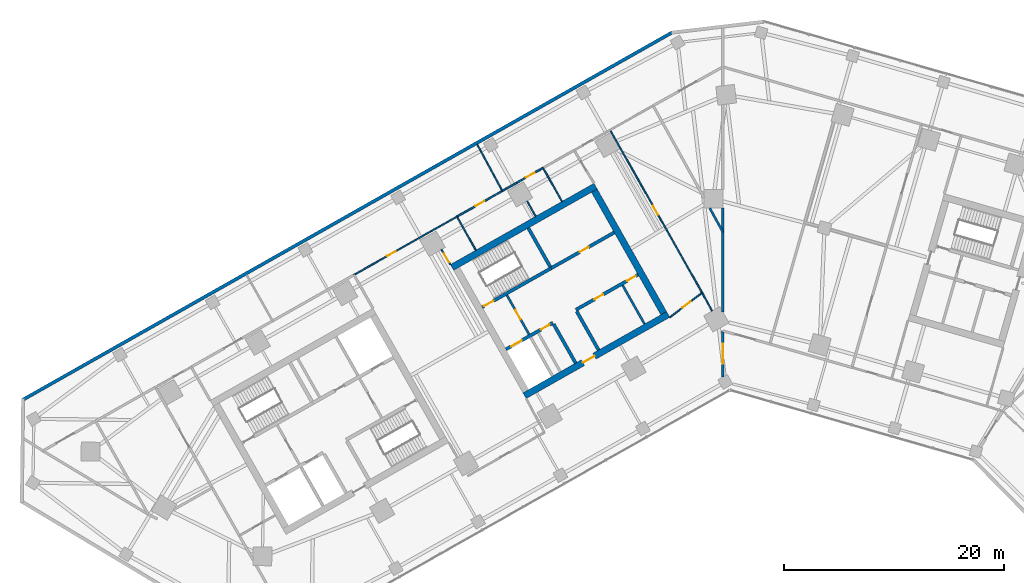
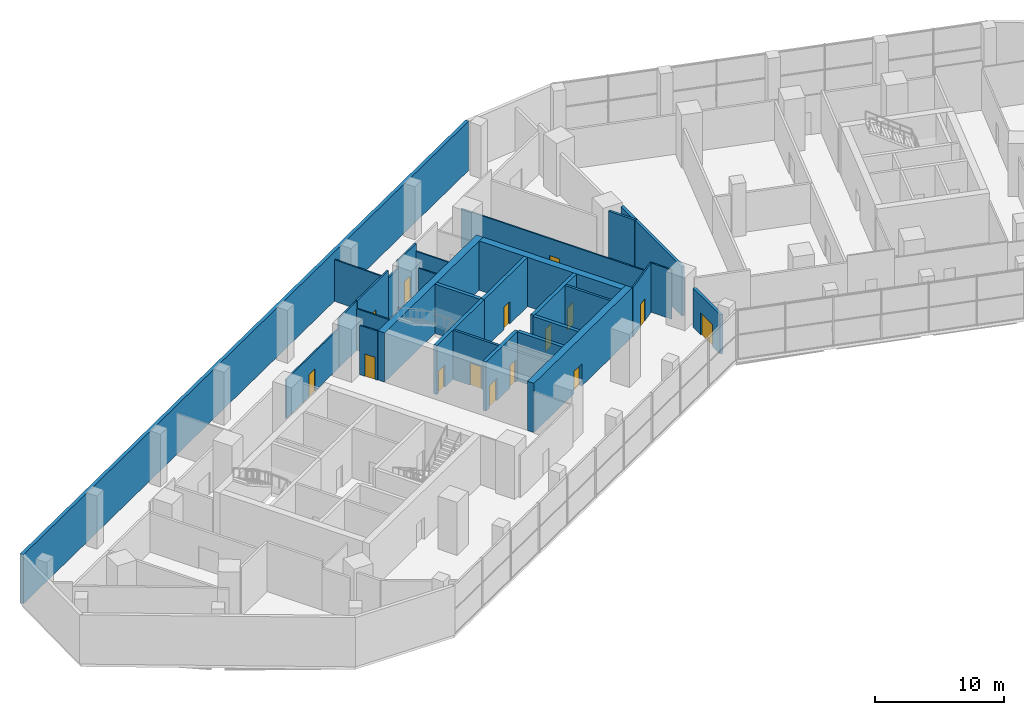
# One storey, part 12 of 18: 30 walls, 15 doors, 15 openings.
"""IFC4 building model written with IfcOpenShell, lengths in metres."""

import ifcopenshell
import ifcopenshell.guid

model = None  # the IFC model being written
_history = None  # IfcOwnerHistory: only IFC2X3 demands one
_inside = {}  # id of a spatial element -> (the spatial element, [elements in it])
_under = {}  # id of a project, library or spatial element -> (it, [spatial elements below it])
_declared = {}  # id of a project -> (the project, [libraries it declares])
_typed = {}  # id of a type object -> (the type object, [elements of that type])
_made_of = {}  # id of a material, layer set ... -> (it, [elements and type objects made of it])


def new_model(schema):
    """Start an empty IFC model of exactly this schema.

    Asked for "IFC4X3", IfcOpenShell would pick the latest addendum, in which some entities
    have other attributes; the version numbers below select the first issue.
    IFC2X3 requires an IfcOwnerHistory on every rooted entity: one is made here for all.
    """
    global model, _history
    if schema == "IFC4X3":
        model = ifcopenshell.file(schema_version=(4, 3, 0, 0))
    else:
        model = ifcopenshell.file(schema=schema)
    _inside.clear()
    _under.clear()
    _declared.clear()
    _typed.clear()
    _made_of.clear()
    _history = None
    if model.schema == "IFC2X3":
        org = make("IfcOrganization", Name="unknown")
        user = make(
            "IfcPersonAndOrganization",
            ThePerson=make("IfcPerson", FamilyName="unknown"),
            TheOrganization=org,
        )
        app = make(
            "IfcApplication",
            ApplicationDeveloper=org,
            Version="unknown",
            ApplicationFullName="unknown",
            ApplicationIdentifier="unknown",
        )
        _history = make(
            "IfcOwnerHistory",
            OwningUser=user,
            OwningApplication=app,
            ChangeAction="ADDED",
            CreationDate=0,
        )
    return model


def make(cls, **values):
    """One entity of the class cls with the attributes given. An attribute that is None is left unset."""
    return model.create_entity(
        cls, **{name: value for name, value in values.items() if value is not None}
    )


def rooted(cls, **values):
    """An entity with a GlobalId (a new one), such as an element, a storey or a relation."""
    return make(cls, GlobalId=ifcopenshell.guid.new(), OwnerHistory=_history, **values)


def si_unit(unit_type, name, prefix=None):
    """IfcSIUnit, for example si_unit("LENGTHUNIT", "METRE", prefix="MILLI")."""
    return make("IfcSIUnit", UnitType=unit_type, Prefix=prefix, Name=name)


def assignment(units):
    """IfcUnitAssignment: the units of a project."""
    return None if units is None else make("IfcUnitAssignment", Units=units)


def point(xyz):
    """IfcCartesianPoint."""
    return None if xyz is None else make("IfcCartesianPoint", Coordinates=xyz)


def direction(xyz):
    """IfcDirection."""
    return None if xyz is None else make("IfcDirection", DirectionRatios=xyz)


def frame(location, z_axis=None, x_axis=None):
    """IfcAxis2Placement3D, a coordinate frame: its origin and axes. An axis left out is left unset."""
    return make(
        "IfcAxis2Placement3D",
        Location=point(location),
        Axis=direction(z_axis),
        RefDirection=direction(x_axis),
    )


def frame_2d(location, x_axis=None):
    """IfcAxis2Placement2D, a coordinate frame in the plane: its origin and x axis."""
    return make(
        "IfcAxis2Placement2D", Location=point(location), RefDirection=direction(x_axis)
    )


def origin():
    """The frame at (0, 0, 0) with its axes left unset."""
    return frame((0.0, 0.0, 0.0))


def place(relative_to, where):
    """IfcLocalPlacement: puts the frame where relative to a parent placement (None: the world)."""
    return make(
        "IfcLocalPlacement", PlacementRelTo=relative_to, RelativePlacement=where
    )


def context(
    kind, dimensions, precision=None, world=None, true_north=None, identifier=None
):
    """IfcGeometricRepresentationContext, for example the 3D "Model" context."""
    return make(
        "IfcGeometricRepresentationContext",
        ContextIdentifier=identifier,
        ContextType=kind,
        CoordinateSpaceDimension=dimensions,
        Precision=precision,
        WorldCoordinateSystem=world,
        TrueNorth=true_north,
    )


def subcontext(parent, identifier, kind, view, scale=None):
    """IfcGeometricRepresentationSubContext, for example "Body" below "Model"."""
    return make(
        "IfcGeometricRepresentationSubContext",
        ContextIdentifier=identifier,
        ContextType=kind,
        ParentContext=parent,
        TargetScale=scale,
        TargetView=view,
    )


def project(units=None, contexts=None):
    """IfcProject with its units and contexts."""
    return rooted(
        "IfcProject",
        Name="project",
        RepresentationContexts=contexts,
        UnitsInContext=assignment(units),
    )


def spatial(cls, under=None, at=None, **own):
    """A site, building, storey or space (cls), placed at a placement, below another one or the project."""
    s = rooted(cls, ObjectPlacement=at, **own)
    if under is not None:
        _under.setdefault(under.id(), (under, []))[1].append(s)
    return s


def profile(cls, at=None, kind="AREA", **sizes):
    """A parametric profile (cls). Its sizes go by their IFC names, for example OverallWidth=200.0."""
    return make(cls, ProfileType=kind, Position=at, **sizes)


def rectangle(**sizes):
    """IfcRectangleProfileDef."""
    return profile("IfcRectangleProfileDef", **sizes)


def extrude(swept, where, along, depth):
    """IfcExtrudedAreaSolid: the profile swept, set in the frame where, extruded along a direction by depth."""
    return make(
        "IfcExtrudedAreaSolid",
        SweptArea=swept,
        Position=where,
        ExtrudedDirection=direction(along),
        Depth=depth,
    )


def shape(context_of_items, identifier, shape_type, items):
    """IfcShapeRepresentation: the items that make up one representation, for example the "Body"."""
    return make(
        "IfcShapeRepresentation",
        ContextOfItems=context_of_items,
        RepresentationIdentifier=identifier,
        RepresentationType=shape_type,
        Items=items,
    )


def material(Name=None, Category=None):
    """IfcMaterial."""
    return make("IfcMaterial", Name=Name, Category=Category)


def layer(
    of_material, thickness, ventilated=None, Name=None, Category=None, Priority=None
):
    """IfcMaterialLayer: one layer of a wall or slab, of a material (None: an air gap)."""
    return make(
        "IfcMaterialLayer",
        Material=of_material,
        LayerThickness=thickness,
        IsVentilated=ventilated,
        Name=Name,
        Category=Category,
        Priority=Priority,
    )


def layer_set(layers, Name=None):
    """IfcMaterialLayerSet."""
    return make("IfcMaterialLayerSet", MaterialLayers=layers, LayerSetName=Name)


def made_of(thing, what):
    """Note that an element or type object is made of a material, layer set ...; save() writes the relation."""
    if what is not None:
        _made_of.setdefault(what.id(), (what, []))[1].append(thing)
    return thing


def type_object(cls, material=None, **own):
    """A type object (cls), such as IfcWallType, which elements share."""
    return made_of(rooted(cls, **own), material)


def element(
    cls,
    number,
    at=None,
    inside=None,
    cuts=None,
    type_object=None,
    material=None,
    context=None,
    identifier="Body",
    shape_type=None,
    held_by="IfcProductDefinitionShape",
    body=None,
    shapes=None,
    **own,
):
    """One element of the class cls, such as IfcWall. Its Tag is "e" and its number.

    at: its placement. inside: the storey or other place that contains it. cuts: it is an
    opening in that element (IfcRelVoidsElement). A single representation is given by context,
    identifier, shape_type and body (its items); several are given by shapes. held_by: the class
    of the entity that holds the representations. save() writes the other relations.
    """
    e = rooted(cls, Tag="e%d" % number, ObjectPlacement=at, **own)
    if body is not None:
        shapes = [shape(context, identifier, shape_type, body)]
    if shapes is not None:
        e.Representation = make(held_by, Representations=shapes)
    if inside is not None:
        _inside.setdefault(inside.id(), (inside, []))[1].append(e)
    if cuts is not None:
        rooted(
            "IfcRelVoidsElement", RelatingBuildingElement=cuts, RelatedOpeningElement=e
        )
    if type_object is not None:
        _typed.setdefault(type_object.id(), (type_object, []))[1].append(e)
    return made_of(e, material)


def fill(opening, filler):
    """IfcRelFillsElement: the door or window that sits in an opening."""
    return rooted(
        "IfcRelFillsElement",
        RelatingOpeningElement=opening,
        RelatedBuildingElement=filler,
    )


def aggregate(whole, parts):
    """IfcRelAggregates: a whole, such as a stair, and the parts it consists of."""
    return rooted("IfcRelAggregates", RelatingObject=whole, RelatedObjects=parts)


def save(model, path):
    """Write the relations noted so far, then the file.

    IfcRelAggregates (storeys below a building ...), IfcRelContainedInSpatialStructure (elements
    in a storey), IfcRelDefinesByType, IfcRelAssociatesMaterial and IfcRelDeclares: one each for
    every whole, place, type object, material and project.
    """
    for whole, parts in _under.values():
        aggregate(whole, parts)
    for where, things in _inside.values():
        rooted(
            "IfcRelContainedInSpatialStructure",
            RelatedElements=things,
            RelatingStructure=where,
        )
    for kind, things in _typed.values():
        rooted("IfcRelDefinesByType", RelatedObjects=things, RelatingType=kind)
    for what, things in _made_of.values():
        rooted("IfcRelAssociatesMaterial", RelatedObjects=things, RelatingMaterial=what)
    for by, libraries in _declared.values():
        rooted("IfcRelDeclares", RelatingContext=by, RelatedDefinitions=libraries)
    model.write(path)


model = new_model("IFC4")

# Units and contexts
model_context = context("Model", 3, precision=1e-05, world=origin(), true_north=direction((0.0, 1.0)))
body_context = subcontext(model_context, "Body", "Model", "MODEL_VIEW")
ifc_project = project(units=[si_unit("LENGTHUNIT", "METRE"), si_unit("AREAUNIT", "SQUARE_METRE"), si_unit("VOLUMEUNIT", "CUBIC_METRE"), si_unit("PLANEANGLEUNIT", "RADIAN"), si_unit("MASSUNIT", "GRAM", prefix="KILO")], contexts=[model_context])

# Site, building, storey
site_placement = place(None, origin())
site = spatial("IfcSite", under=ifc_project, at=site_placement, CompositionType="ELEMENT")
building_placement = place(site_placement, origin())
building = spatial("IfcBuilding", under=site, at=building_placement, Name="Binnacle Exchange Tower", CompositionType="ELEMENT")
storey_placement = place(building_placement, frame((0.0, 0.0, 11.5)))
storey = spatial("IfcBuildingStorey", under=building, at=storey_placement, Name="L02", CompositionType="ELEMENT", Elevation=11.5)

# Wall
ifc_material_1 = material(Name="Gypsum partition fire rated")
ifc_layer_1 = layer(ifc_material_1, 0.199951171875)
ifc_layer_set_1 = layer_set([ifc_layer_1], Name="Core partition 200")
wall_type_1 = type_object("IfcWallType", Name="Core partition 200", PredefinedType="PARTITIONING", material=ifc_layer_set_1)
wall_1_placement = place(storey_placement, frame((-9.11279296875, 52.14404296875, 0.0), z_axis=(0.0, 0.0, 1.0), x_axis=(0.492394910396, -0.870371904542, 0.0)))
element("IfcWall", 1, at=wall_1_placement, inside=storey, type_object=wall_type_1, Name="Core wall CRWC22", PredefinedType="PARTITIONING", context=body_context, shape_type="SweptSolid", body=[
    extrude(rectangle(XDim=4.0498046875, YDim=0.199951171875, at=frame_2d((2.02490234375, 0.0))), origin(), (0.0, 0.0, 1.0), 4.64990234375),
])

# Wall, openings, doors
ifc_material_2 = material(Name="Concrete C70/85", Category="concrete")
ifc_layer_2 = layer(ifc_material_2, 0.300048828125)
ifc_layer_set_2 = layer_set([ifc_layer_2], Name="Core wall - front 300")
wall_type_2 = type_object("IfcWallType", Name="Core wall - front 300", PredefinedType="SOLIDWALL", material=ifc_layer_set_2)
wall_2_placement = place(storey_placement, frame((-19.718017578125, 46.31640625, 0.0), z_axis=(0.0, 0.0, 1.0), x_axis=(0.870353963862, 0.492426621528, 0.0)))
wall_2 = element("IfcWall", 2, at=wall_2_placement, inside=storey, type_object=wall_type_2, Name="Core wall CRWC2", PredefinedType="SOLIDWALL", context=body_context, shape_type="SweptSolid", body=[
    extrude(rectangle(XDim=4.89990234375, YDim=0.300048828125, at=frame_2d((2.449951171875, 0.0))), origin(), (0.0, 0.0, 1.0), 4.64990234375),
])
opening_1_placement = place(wall_2_placement, frame((0.550048828125, 0.0, 0.0)))
opening_1 = element("IfcOpeningElement", 3, at=opening_1_placement, cuts=wall_2, Name="Opening LD14", PredefinedType="OPENING", context=body_context, shape_type="SweptSolid", body=[
    extrude(rectangle(XDim=1.10009765625, YDim=2.10009765625, at=frame_2d((0.550048828125, 1.050048828125))), frame((0.0, 0.159912109375, 0.0), z_axis=(0.0, -1.0, 0.0), x_axis=(1.0, 0.0, 0.0)), (0.0, 0.0, 1.0), 0.320068359375),
])
opening_2_placement = place(wall_2_placement, frame((3.64990234375, 0.0, 0.0)))
opening_2 = element("IfcOpeningElement", 4, at=opening_2_placement, cuts=wall_2, Name="Opening DC14", PredefinedType="OPENING", context=body_context, shape_type="SweptSolid", body=[
    extrude(rectangle(XDim=0.89990234375, YDim=2.10009765625, at=frame_2d((0.449951171875, 1.050048828125))), frame((0.0, 0.159912109375, 0.0), z_axis=(0.0, -1.0, 0.0), x_axis=(1.0, 0.0, 0.0)), (0.0, 0.0, 1.0), 0.320068359375),
])
ifc_material_3 = material(Name="Steel door leaf", Category="steel")
door_type_1 = type_object("IfcDoorType", Name="Fire door - lift landing 1100", OperationType="NOTDEFINED", PredefinedType="DOOR", material=ifc_material_3)
door_1_placement = place(opening_1_placement, origin())
door_1 = element("IfcDoor", 5, at=door_1_placement, inside=storey, type_object=door_type_1, Name="Landing door LD14 L02", OperationType="DOUBLE_DOOR_SLIDING", OverallHeight=2.10009765625, OverallWidth=1.10009765625, PredefinedType="DOOR", context=body_context, shape_type="SweptSolid", body=[
    extrude(rectangle(XDim=1.10009765625, YDim=2.10009765625, at=frame_2d((0.550048828125, 1.050048828125))), frame((0.0, 0.02490234375, 0.0), z_axis=(0.0, -1.0, 0.0), x_axis=(1.0, 0.0, 0.0)), (0.0, 0.0, 1.0), 0.050048828125),
])
fill(opening_1, door_1)
door_type_2 = type_object("IfcDoorType", Name="Fire door 900", OperationType="NOTDEFINED", PredefinedType="DOOR", material=ifc_material_3)
door_2_placement = place(opening_2_placement, frame((0.89990234375, 0.0, 0.0), z_axis=(0.0, 0.0, 1.0), x_axis=(-1.0, 0.0, 0.0)))
door_2 = element("IfcDoor", 6, at=door_2_placement, inside=storey, type_object=door_type_2, Name="Core room door IT STORE", OperationType="SINGLE_SWING_LEFT", OverallHeight=2.10009765625, OverallWidth=0.89990234375, PredefinedType="DOOR", context=body_context, shape_type="SweptSolid", body=[
    extrude(rectangle(XDim=0.89990234375, YDim=2.10009765625, at=frame_2d((0.449951171875, 1.050048828125))), frame((0.0, 0.02490234375, 0.0), z_axis=(0.0, -1.0, 0.0), x_axis=(1.0, 0.0, 0.0)), (0.0, 0.0, 1.0), 0.050048828125),
])
fill(opening_2, door_2)

wall_3_placement = place(storey_placement, frame((-13.364501953125, 49.910888671875, 0.0), z_axis=(0.0, 0.0, 1.0), x_axis=(0.870340995471, 0.49244954219, 0.0)))
wall_3 = element("IfcWall", 7, at=wall_3_placement, inside=storey, type_object=wall_type_2, Name="Core wall CRWC3", PredefinedType="SOLIDWALL", context=body_context, shape_type="SweptSolid", body=[
    extrude(rectangle(XDim=6.5, YDim=0.300048828125, at=frame_2d((3.25, 0.0))), origin(), (0.0, 0.0, 1.0), 4.64990234375),
])
opening_3_placement = place(wall_3_placement, frame((1.949951171875, 0.0, 0.0)))
opening_3 = element("IfcOpeningElement", 8, at=opening_3_placement, cuts=wall_3, Name="Opening DC18", PredefinedType="OPENING", context=body_context, shape_type="SweptSolid", body=[
    extrude(rectangle(XDim=0.89990234375, YDim=2.10009765625, at=frame_2d((0.449951171875, 1.050048828125))), frame((0.0, 0.159912109375, 0.0), z_axis=(0.0, -1.0, 0.0), x_axis=(1.0, 0.0, 0.0)), (0.0, 0.0, 1.0), 0.320068359375),
])
opening_4_placement = place(wall_3_placement, frame((5.35009765625, 0.0, 0.0)))
opening_4 = element("IfcOpeningElement", 9, at=opening_4_placement, cuts=wall_3, Name="Opening DC19", PredefinedType="OPENING", context=body_context, shape_type="SweptSolid", body=[
    extrude(rectangle(XDim=0.89990234375, YDim=2.10009765625, at=frame_2d((0.449951171875, 1.050048828125))), frame((0.0, 0.159912109375, 0.0), z_axis=(0.0, -1.0, 0.0), x_axis=(1.0, 0.0, 0.0)), (0.0, 0.0, 1.0), 0.320068359375),
])
door_3_placement = place(opening_3_placement, frame((0.89990234375, 0.0, 0.0), z_axis=(0.0, 0.0, 1.0), x_axis=(-1.0, 0.0, 0.0)))
door_3 = element("IfcDoor", 10, at=door_3_placement, inside=storey, type_object=door_type_2, Name="Core room door TELECOM RISER ROOM", OperationType="SINGLE_SWING_RIGHT", OverallHeight=2.10009765625, OverallWidth=0.89990234375, PredefinedType="DOOR", context=body_context, shape_type="SweptSolid", body=[
    extrude(rectangle(XDim=0.89990234375, YDim=2.10009765625, at=frame_2d((0.449951171875, 1.050048828125))), frame((0.0, 0.02490234375, 0.0), z_axis=(0.0, -1.0, 0.0), x_axis=(1.0, 0.0, 0.0)), (0.0, 0.0, 1.0), 0.050048828125),
])
fill(opening_3, door_3)
door_4_placement = place(opening_4_placement, frame((0.89990234375, 0.0, 0.0), z_axis=(0.0, 0.0, 1.0), x_axis=(-1.0, 0.0, 0.0)))
door_4 = element("IfcDoor", 11, at=door_4_placement, inside=storey, type_object=door_type_2, Name="Core room door FIBRE ENTRY ROOM", OperationType="SINGLE_SWING_LEFT", OverallHeight=2.10009765625, OverallWidth=0.89990234375, PredefinedType="DOOR", context=body_context, shape_type="SweptSolid", body=[
    extrude(rectangle(XDim=0.89990234375, YDim=2.10009765625, at=frame_2d((0.449951171875, 1.050048828125))), frame((0.0, 0.02490234375, 0.0), z_axis=(0.0, -1.0, 0.0), x_axis=(1.0, 0.0, 0.0)), (0.0, 0.0, 1.0), 0.050048828125),
])
fill(opening_4, door_4)

# Wall, opening, door
wall_4_placement = place(storey_placement, frame((-15.6181640625, 53.69140625, 0.0), z_axis=(0.0, 0.0, 1.0), x_axis=(0.870356769198, 0.492421663121, 0.0)))
wall_4 = element("IfcWall", 12, at=wall_4_placement, inside=storey, type_object=wall_type_2, Name="Core wall CRWC5", PredefinedType="SOLIDWALL", context=body_context, shape_type="SweptSolid", body=[
    extrude(rectangle(XDim=6.60009765625, YDim=0.300048828125, at=frame_2d((3.300048828125, 0.0))), origin(), (0.0, 0.0, 1.0), 4.64990234375),
])
opening_5_placement = place(wall_4_placement, frame((3.0, 0.0, 0.0)))
opening_5 = element("IfcOpeningElement", 13, at=opening_5_placement, cuts=wall_4, Name="Opening DC10", PredefinedType="OPENING", context=body_context, shape_type="SweptSolid", body=[
    extrude(rectangle(XDim=0.89990234375, YDim=2.10009765625, at=frame_2d((0.449951171875, 1.050048828125))), frame((0.0, 0.159912109375, 0.0), z_axis=(0.0, -1.0, 0.0), x_axis=(1.0, 0.0, 0.0)), (0.0, 0.0, 1.0), 0.320068359375),
])
door_5_placement = place(opening_5_placement, origin())
door_5 = element("IfcDoor", 14, at=door_5_placement, inside=storey, type_object=door_type_2, Name="Core room door SPARES STORE", OperationType="SINGLE_SWING_RIGHT", OverallHeight=2.10009765625, OverallWidth=0.89990234375, PredefinedType="DOOR", context=body_context, shape_type="SweptSolid", body=[
    extrude(rectangle(XDim=0.89990234375, YDim=2.10009765625, at=frame_2d((0.449951171875, 1.050048828125))), frame((0.0, 0.02490234375, 0.0), z_axis=(0.0, -1.0, 0.0), x_axis=(1.0, 0.0, 0.0)), (0.0, 0.0, 1.0), 0.050048828125),
])
fill(opening_5, door_5)

# Walls
for number, where, z_axis, x_axis, name in (
    (15, (-15.37939453125, 48.5986328125, 0.0), (0.0, 0.0, 1.0), (0.492394910396, -0.870371904542, 0.0), "Core wall CRWC13"),
    (16, (-13.29052734375, 49.780517578125, 0.0), (0.0, 0.0, 1.0), (0.492394910396, -0.870371904542, 0.0), "Core wall CRWC15"),
):
    element("IfcWall", number, at=place(storey_placement, frame(where, z_axis=z_axis, x_axis=x_axis)), inside=storey, type_object=wall_type_2, Name=name, PredefinedType="SOLIDWALL", context=body_context, shape_type="SweptSolid", body=[
        extrude(rectangle(XDim=4.0498046875, YDim=0.300048828125, at=frame_2d((2.02490234375, 0.0))), origin(), (0.0, 0.0, 1.0), 4.64990234375),
    ])

# Wall, opening, door
ifc_layer_3 = layer(ifc_material_2, 0.60009765625)
ifc_layer_set_3 = layer_set([ifc_layer_3], Name="Core wall - outer 600")
wall_type_3 = type_object("IfcWallType", Name="Core wall - outer 600", PredefinedType="SOLIDWALL", material=ifc_layer_set_3)
wall_5_placement = place(storey_placement, frame((-18.0244140625, 42.104248046875, 0.0), z_axis=(0.0, 0.0, 1.0), x_axis=(0.870360574057, 0.492414937962, 0.0)))
wall_5 = element("IfcWall", 17, at=wall_5_placement, inside=storey, type_object=wall_type_3, Name="Core wall CRWC1", PredefinedType="SOLIDWALL", context=body_context, shape_type="SweptSolid", body=[
    extrude(rectangle(XDim=15.0, YDim=0.60009765625, at=frame_2d((7.5, 0.0))), origin(), (0.0, 0.0, 1.0), 4.64990234375),
])
opening_6_placement = place(wall_5_placement, frame((6.10009765625, 0.0, 0.0)))
opening_6 = element("IfcOpeningElement", 18, at=opening_6_placement, cuts=wall_5, Name="Opening DC7", PredefinedType="OPENING", context=body_context, shape_type="SweptSolid", body=[
    extrude(rectangle(XDim=1.199951171875, YDim=2.10009765625, at=frame_2d((0.60009765625, 1.050048828125))), frame((0.0, 0.31005859375, 0.0), z_axis=(0.0, -1.0, 0.0), x_axis=(1.0, 0.0, 0.0)), (0.0, 0.0, 1.0), 0.6201171875),
])
door_type_3 = type_object("IfcDoorType", Name="Fire door 1200", OperationType="NOTDEFINED", PredefinedType="DOOR", material=ifc_material_3)
door_6_placement = place(opening_6_placement, frame((1.199951171875, 0.0, 0.0), z_axis=(0.0, 0.0, 1.0), x_axis=(-1.0, 0.0, 0.0)))
door_6 = element("IfcDoor", 19, at=door_6_placement, inside=storey, type_object=door_type_3, Name="Lift lobby entrance door core C", OperationType="SINGLE_SWING_RIGHT", OverallHeight=2.10009765625, OverallWidth=1.199951171875, PredefinedType="DOOR", context=body_context, shape_type="SweptSolid", body=[
    extrude(rectangle(XDim=1.199951171875, YDim=2.10009765625, at=frame_2d((0.60009765625, 1.050048828125))), frame((0.0, 0.02490234375, 0.0), z_axis=(0.0, -1.0, 0.0), x_axis=(1.0, 0.0, 0.0)), (0.0, 0.0, 1.0), 0.050048828125),
])
fill(opening_6, door_6)

# Walls
wall_6_placement = place(storey_placement, frame((-24.622802734375, 53.76708984375, 0.0), z_axis=(0.0, 0.0, 1.0), x_axis=(0.870356627484, 0.492421913601, 0.0)))
element("IfcWall", 20, at=wall_6_placement, inside=storey, type_object=wall_type_3, Name="Core wall CRWC6", PredefinedType="SOLIDWALL", context=body_context, shape_type="SweptSolid", body=[
    extrude(rectangle(XDim=14.999755859375, YDim=0.60009765625, at=frame_2d((7.5, 0.0))), origin(), (0.0, 0.0, 1.0), 4.64990234375),
])
wall_7_placement = place(storey_placement, frame((-11.680908203125, 60.744384765625, 0.0), z_axis=(0.0, 0.0, 1.0), x_axis=(0.492426772896, -0.870353878221, 0.0)))
element("IfcWall", 21, at=wall_7_placement, inside=storey, type_object=wall_type_3, Name="Core wall CRWC24", PredefinedType="SOLIDWALL", context=body_context, shape_type="SweptSolid", body=[
    extrude(rectangle(XDim=12.7998046875, YDim=0.60009765625, at=frame_2d((6.39990234375, 0.0))), origin(), (0.0, 0.0, 1.0), 4.64990234375),
])

# Wall, opening, door
ifc_layer_4 = layer(ifc_material_2, 0.300048828125)
ifc_layer_set_4 = layer_set([ifc_layer_4], Name="Core wall - stair 300")
wall_type_4 = type_object("IfcWallType", Name="Core wall - stair 300", PredefinedType="SOLIDWALL", material=ifc_layer_set_4)
wall_8_placement = place(storey_placement, frame((-21.884765625, 50.14599609375, 0.0), z_axis=(0.0, 0.0, 1.0), x_axis=(0.870359411463, 0.492416992881, 0.0)))
wall_8 = element("IfcWall", 22, at=wall_8_placement, inside=storey, type_object=wall_type_4, Name="Core wall CRWC4", PredefinedType="SOLIDWALL", context=body_context, shape_type="SweptSolid", body=[
    extrude(rectangle(XDim=7.199951171875, YDim=0.300048828125, at=frame_2d((3.60009765625, 0.0))), origin(), (0.0, 0.0, 1.0), 4.64990234375),
])
opening_7_placement = place(wall_8_placement, frame((0.199951171875, 0.0, 0.0)))
opening_7 = element("IfcOpeningElement", 23, at=opening_7_placement, cuts=wall_8, Name="Opening DC1", PredefinedType="OPENING", context=body_context, shape_type="SweptSolid", body=[
    extrude(rectangle(XDim=1.0, YDim=2.10009765625, at=frame_2d((0.5, 1.050048828125))), frame((0.0, 0.159912109375, 0.0), z_axis=(0.0, -1.0, 0.0), x_axis=(1.0, 0.0, 0.0)), (0.0, 0.0, 1.0), 0.320068359375),
])
door_type_4 = type_object("IfcDoorType", Name="Fire door 1000", OperationType="NOTDEFINED", PredefinedType="DOOR", material=ifc_material_3)
door_7_placement = place(opening_7_placement, origin())
door_7 = element("IfcDoor", 24, at=door_7_placement, inside=storey, type_object=door_type_4, Name="Stair door ST-C1", OperationType="SINGLE_SWING_LEFT", OverallHeight=2.10009765625, OverallWidth=1.0, PredefinedType="DOOR", context=body_context, shape_type="SweptSolid", body=[
    extrude(rectangle(XDim=1.0, YDim=2.10009765625, at=frame_2d((0.5, 1.050048828125))), frame((0.0, 0.02490234375, 0.0), z_axis=(0.0, -1.0, 0.0), x_axis=(1.0, 0.0, 0.0)), (0.0, 0.0, 1.0), 0.050048828125),
])
fill(opening_7, door_7)

# Walls
wall_9_placement = place(storey_placement, frame((-17.686279296875, 57.3466796875, 0.0), z_axis=(0.0, 0.0, 1.0), x_axis=(0.492420746998, -0.870357287513, 0.0)))
element("IfcWall", 25, at=wall_9_placement, inside=storey, type_object=wall_type_4, Name="Core wall CRWC14", PredefinedType="SOLIDWALL", context=body_context, shape_type="SweptSolid", body=[
    extrude(rectangle(XDim=4.049560546875, YDim=0.300048828125, at=frame_2d((2.02490234375, 0.0))), origin(), (0.0, 0.0, 1.0), 4.64990234375),
])
ifc_material_4 = material(Name="Bronze aluminium louvre", Category="aluminium")
ifc_layer_5 = layer(ifc_material_4, 0.300048828125)
ifc_layer_set_5 = layer_set([ifc_layer_5], Name="External wall - podium louvre 300")
wall_type_5 = type_object("IfcWallType", Name="External wall - podium louvre 300", PredefinedType="STANDARD", material=ifc_layer_set_5)
wall_10_placement = place(storey_placement, frame((-63.706787109375, 41.701171875, 0.0), z_axis=(0.0, 0.0, 1.0), x_axis=(0.870355510268, 0.492423888277, 0.0)))
element("IfcWall", 26, at=wall_10_placement, inside=storey, type_object=wall_type_5, Name="External wall EW-P02 L02", PredefinedType="STANDARD", context=body_context, shape_type="SweptSolid", body=[
    extrude(rectangle(XDim=67.9033203125, YDim=0.300048828125, at=frame_2d((33.95166015625, 0.0))), origin(), (0.0, 0.0, 1.0), 4.64990234375),
])
ifc_material_5 = material(Name="Masonry block wall", Category="masonry")
ifc_layer_6 = layer(ifc_material_5, 0.199951171875)
ifc_layer_set_6 = layer_set([ifc_layer_6], Name="Fire wall - block 200")
wall_type_6 = type_object("IfcWallType", Name="Fire wall - block 200", PredefinedType="PARTITIONING", material=ifc_layer_set_6)
wall_11_placement = place(storey_placement, frame((-1.18701171875, 59.14990234375, 0.0), z_axis=(0.0, 0.0, 1.0), x_axis=(0.483345381597, -0.875429747089, 0.0)))
element("IfcWall", 27, at=wall_11_placement, inside=storey, type_object=wall_type_6, Name="Partition W43", PredefinedType="PARTITIONING", context=body_context, shape_type="SweptSolid", body=[
    extrude(rectangle(XDim=2.455810546875, YDim=0.199951171875, at=frame_2d((1.22802734375, 0.0))), origin(), (0.0, 0.0, 1.0), 4.64990234375),
])

# Wall, opening, door
ifc_material_6 = material(Name="Concrete fire wall C30/37", Category="concrete")
ifc_layer_7 = layer(ifc_material_6, 0.25)
ifc_layer_set_7 = layer_set([ifc_layer_7], Name="Fire wall - compartment 250")
wall_type_7 = type_object("IfcWallType", Name="Fire wall - compartment 250", PredefinedType="PARTITIONING", material=ifc_layer_set_7)
wall_12_placement = place(storey_placement, frame((0.0, 43.805908203125, 0.0), z_axis=(0.0, 0.0, 1.0), x_axis=(0.0, 1.0, 0.0)))
wall_12 = element("IfcWall", 28, at=wall_12_placement, inside=storey, type_object=wall_type_7, Name="Fire Wall W44", PredefinedType="PARTITIONING", context=body_context, shape_type="SweptSolid", body=[
    extrude(rectangle(XDim=4.194091796875, YDim=0.25, at=frame_2d((2.09716796875, 0.0))), origin(), (0.0, 0.0, 1.0), 3.7119140625),
])
opening_8_placement = place(wall_12_placement, frame((1.199951171875, 0.0, 0.0)))
opening_8 = element("IfcOpeningElement", 29, at=opening_8_placement, cuts=wall_12, Name="Opening DL01-32", PredefinedType="OPENING", context=body_context, shape_type="SweptSolid", body=[
    extrude(rectangle(XDim=1.800048828125, YDim=2.10009765625, at=frame_2d((0.89990234375, 1.050048828125))), frame((0.0, 0.135009765625, 0.0), z_axis=(0.0, -1.0, 0.0), x_axis=(1.0, 0.0, 0.0)), (0.0, 0.0, 1.0), 0.27001953125),
])
door_type_5 = type_object("IfcDoorType", Name="Fire door 1800", OperationType="NOTDEFINED", PredefinedType="DOOR", material=ifc_material_3)
door_8_placement = place(opening_8_placement, origin())
door_8 = element("IfcDoor", 30, at=door_8_placement, inside=storey, type_object=door_type_5, Name="Door DL01-32", OperationType="DOUBLE_DOOR_SINGLE_SWING", OverallHeight=2.10009765625, OverallWidth=1.800048828125, PredefinedType="DOOR", context=body_context, shape_type="SweptSolid", body=[
    extrude(rectangle(XDim=1.800048828125, YDim=2.10009765625, at=frame_2d((0.89990234375, 1.050048828125))), frame((0.0, 0.02490234375, 0.0), z_axis=(0.0, -1.0, 0.0), x_axis=(1.0, 0.0, 0.0)), (0.0, 0.0, 1.0), 0.050048828125),
])
fill(opening_8, door_8)

# Walls
wall_13_placement = place(storey_placement, frame((0.0, 49.72607421875, 0.0), z_axis=(0.0, 0.0, 1.0), x_axis=(0.0, 1.0, 0.0)))
element("IfcWall", 31, at=wall_13_placement, inside=storey, type_object=wall_type_7, Name="Fire Wall W46", PredefinedType="PARTITIONING", context=body_context, shape_type="SweptSolid", body=[
    extrude(rectangle(XDim=7.27392578125, YDim=0.25, at=frame_2d((3.636962890625, 0.0))), origin(), (0.0, 0.0, 1.0), 4.64990234375),
])
wall_14_placement = place(storey_placement, frame((0.0, 57.0, 0.0), z_axis=(0.0, 0.0, 1.0), x_axis=(0.0, 1.0, 0.0)))
element("IfcWall", 32, at=wall_14_placement, inside=storey, type_object=wall_type_7, Name="Fire Wall W47", PredefinedType="PARTITIONING", context=body_context, shape_type="SweptSolid", body=[
    extrude(rectangle(XDim=2.14990234375, YDim=0.25, at=frame_2d((1.074951171875, 0.0))), origin(), (0.0, 0.0, 1.0), 4.64990234375),
])

# Wall, opening, door
ifc_layer_8 = layer(ifc_material_5, 0.199951171875)
ifc_layer_set_8 = layer_set([ifc_layer_8], Name="Fire wall - vestibule 200")
wall_type_8 = type_object("IfcWallType", Name="Fire wall - vestibule 200", PredefinedType="PARTITIONING", material=ifc_layer_set_8)
wall_15_placement = place(storey_placement, frame((-19.635009765625, 51.246337890625, 0.0), z_axis=(0.0, 0.0, 1.0), x_axis=(0.492408451753, -0.87036424366, 0.0)))
wall_15 = element("IfcWall", 33, at=wall_15_placement, inside=storey, type_object=wall_type_8, Name="Core wall CRWC10", PredefinedType="PARTITIONING", context=body_context, shape_type="SweptSolid", body=[
    extrude(rectangle(XDim=4.099853515625, YDim=0.199951171875, at=frame_2d((2.0498046875, 0.0))), origin(), (0.0, 0.0, 1.0), 4.64990234375),
])
opening_9_placement = place(wall_15_placement, frame((1.550048828125, 0.0, 0.0)))
opening_9 = element("IfcOpeningElement", 34, at=opening_9_placement, cuts=wall_15, Name="Opening DC3", PredefinedType="OPENING", context=body_context, shape_type="SweptSolid", body=[
    extrude(rectangle(XDim=1.0, YDim=2.10009765625, at=frame_2d((0.5, 1.050048828125))), frame((0.0, 0.10986328125, 0.0), z_axis=(0.0, -1.0, 0.0), x_axis=(1.0, 0.0, 0.0)), (0.0, 0.0, 1.0), 0.219970703125),
])
door_9_placement = place(opening_9_placement, frame((1.0, 0.0, 0.0), z_axis=(0.0, 0.0, 1.0), x_axis=(-1.0, 0.0, 0.0)))
door_9 = element("IfcDoor", 35, at=door_9_placement, inside=storey, type_object=door_type_4, Name="Vestibule door VEST-W", OperationType="SINGLE_SWING_RIGHT", OverallHeight=2.10009765625, OverallWidth=1.0, PredefinedType="DOOR", context=body_context, shape_type="SweptSolid", body=[
    extrude(rectangle(XDim=1.0, YDim=2.10009765625, at=frame_2d((0.5, 1.050048828125))), frame((0.0, 0.02490234375, 0.0), z_axis=(0.0, -1.0, 0.0), x_axis=(1.0, 0.0, 0.0)), (0.0, 0.0, 1.0), 0.050048828125),
])
fill(opening_9, door_9)

ifc_layer_9 = layer(ifc_material_1, 0.14990234375)
ifc_layer_set_9 = layer_set([ifc_layer_9], Name="Fire-rated partition 150")
wall_type_9 = type_object("IfcWallType", Name="Fire-rated partition 150", PredefinedType="PARTITIONING", material=ifc_layer_set_9)
wall_16_placement = place(storey_placement, frame((-24.179931640625, 58.384033203125, 0.0), z_axis=(0.0, 0.0, 1.0), x_axis=(0.870360772617, 0.492414587, 0.0)))
wall_16 = element("IfcWall", 36, at=wall_16_placement, inside=storey, type_object=wall_type_9, Name="Partition W26", PredefinedType="PARTITIONING", context=body_context, shape_type="SweptSolid", body=[
    extrude(rectangle(XDim=4.749755859375, YDim=0.14990234375, at=frame_2d((2.375, 0.0))), origin(), (0.0, 0.0, 1.0), 4.64990234375),
])
opening_10_placement = place(wall_16_placement, frame((1.949951171875, 0.0, 0.0)))
opening_10 = element("IfcOpeningElement", 37, at=opening_10_placement, cuts=wall_16, Name="Opening DL01-14", PredefinedType="OPENING", context=body_context, shape_type="SweptSolid", body=[
    extrude(rectangle(XDim=0.89990234375, YDim=2.10009765625, at=frame_2d((0.449951171875, 1.050048828125))), frame((0.0, 0.0849609375, 0.0), z_axis=(0.0, -1.0, 0.0), x_axis=(1.0, 0.0, 0.0)), (0.0, 0.0, 1.0), 0.169921875),
])
door_10_placement = place(opening_10_placement, frame((0.89990234375, 0.0, 0.0), z_axis=(0.0, 0.0, 1.0), x_axis=(-1.0, 0.0, 0.0)))
door_10 = element("IfcDoor", 38, at=door_10_placement, inside=storey, type_object=door_type_2, Name="Door DL01-14", OperationType="SINGLE_SWING_LEFT", OverallHeight=2.10009765625, OverallWidth=0.89990234375, PredefinedType="DOOR", context=body_context, shape_type="SweptSolid", body=[
    extrude(rectangle(XDim=0.89990234375, YDim=2.10009765625, at=frame_2d((0.449951171875, 1.050048828125))), frame((0.0, 0.02490234375, 0.0), z_axis=(0.0, -1.0, 0.0), x_axis=(1.0, 0.0, 0.0)), (0.0, 0.0, 1.0), 0.050048828125),
])
fill(opening_10, door_10)

# Wall
wall_17_placement = place(storey_placement, frame((-20.0458984375, 60.722900390625, 0.0), z_axis=(0.0, 0.0, 1.0), x_axis=(0.870308175411, 0.492507542899, 0.0)))
element("IfcWall", 39, at=wall_17_placement, inside=storey, type_object=wall_type_9, Name="Partition W29", PredefinedType="PARTITIONING", context=body_context, shape_type="SweptSolid", body=[
    extrude(rectangle(XDim=1.50048828125, YDim=0.14990234375, at=frame_2d((0.750244140625, 0.0))), origin(), (0.0, 0.0, 1.0), 3.929931640625),
])

# Wall, opening, door
wall_18_placement = place(storey_placement, frame((-18.739990234375, 61.4619140625, 0.0), z_axis=(0.0, 0.0, 1.0), x_axis=(0.870430549821, 0.492291232848, 0.0)))
wall_18 = element("IfcWall", 40, at=wall_18_placement, inside=storey, type_object=wall_type_9, Name="Partition W30", PredefinedType="PARTITIONING", context=body_context, shape_type="SweptSolid", body=[
    extrude(rectangle(XDim=2.75048828125, YDim=0.14990234375, at=frame_2d((1.375244140625, 0.0))), origin(), (0.0, 0.0, 1.0), 4.64990234375),
])
opening_11_placement = place(wall_18_placement, frame((0.949951171875, 0.0, 0.0)))
opening_11 = element("IfcOpeningElement", 41, at=opening_11_placement, cuts=wall_18, Name="Opening DL01-15", PredefinedType="OPENING", context=body_context, shape_type="SweptSolid", body=[
    extrude(rectangle(XDim=0.89990234375, YDim=2.10009765625, at=frame_2d((0.449951171875, 1.050048828125))), frame((0.0, 0.0849609375, 0.0), z_axis=(0.0, -1.0, 0.0), x_axis=(1.0, 0.0, 0.0)), (0.0, 0.0, 1.0), 0.169921875),
])
door_11_placement = place(opening_11_placement, frame((0.89990234375, 0.0, 0.0), z_axis=(0.0, 0.0, 1.0), x_axis=(-1.0, 0.0, 0.0)))
door_11 = element("IfcDoor", 42, at=door_11_placement, inside=storey, type_object=door_type_2, Name="Door DL01-15", OperationType="SINGLE_SWING_LEFT", OverallHeight=2.10009765625, OverallWidth=0.89990234375, PredefinedType="DOOR", context=body_context, shape_type="SweptSolid", body=[
    extrude(rectangle(XDim=0.89990234375, YDim=2.10009765625, at=frame_2d((0.449951171875, 1.050048828125))), frame((0.0, 0.02490234375, 0.0), z_axis=(0.0, -1.0, 0.0), x_axis=(1.0, 0.0, 0.0)), (0.0, 0.0, 1.0), 0.050048828125),
])
fill(opening_11, door_11)

ifc_material_7 = material(Name="Gypsum partition")
ifc_layer_10 = layer(ifc_material_7, 0.125)
ifc_layer_set_10 = layer_set([ifc_layer_10], Name="Partition 125")
wall_type_10 = type_object("IfcWallType", Name="Partition 125", PredefinedType="PARTITIONING", material=ifc_layer_set_10)
wall_19_placement = place(storey_placement, frame((-33.535888671875, 53.090087890625, 0.0), z_axis=(0.0, 0.0, 1.0), x_axis=(0.870327439455, 0.492473499928, 0.0)))
wall_19 = element("IfcWall", 43, at=wall_19_placement, inside=storey, type_object=wall_type_10, Name="Partition W21", PredefinedType="PARTITIONING", context=body_context, shape_type="SweptSolid", body=[
    extrude(rectangle(XDim=8.000244140625, YDim=0.125, at=frame_2d((4.0, 0.0))), origin(), (0.0, 0.0, 1.0), 3.7119140625),
])
opening_12_placement = place(wall_19_placement, frame((3.449951171875, 0.0, 0.0)))
opening_12 = element("IfcOpeningElement", 44, at=opening_12_placement, cuts=wall_19, Name="Opening DL01-05", PredefinedType="OPENING", context=body_context, shape_type="SweptSolid", body=[
    extrude(rectangle(XDim=0.89990234375, YDim=2.10009765625, at=frame_2d((0.449951171875, 1.050048828125))), frame((0.0, 0.072509765625, 0.0), z_axis=(0.0, -1.0, 0.0), x_axis=(1.0, 0.0, 0.0)), (0.0, 0.0, 1.0), 0.14501953125),
])
ifc_material_8 = material(Name="Timber door leaf", Category="wood")
door_type_6 = type_object("IfcDoorType", Name="Door 900", OperationType="NOTDEFINED", PredefinedType="DOOR", material=ifc_material_8)
door_12_placement = place(opening_12_placement, origin())
door_12 = element("IfcDoor", 45, at=door_12_placement, inside=storey, type_object=door_type_6, Name="Door DL01-05", OperationType="SINGLE_SWING_LEFT", OverallHeight=2.10009765625, OverallWidth=0.89990234375, PredefinedType="DOOR", context=body_context, shape_type="SweptSolid", body=[
    extrude(rectangle(XDim=0.89990234375, YDim=2.10009765625, at=frame_2d((0.449951171875, 1.050048828125))), frame((0.0, 0.02490234375, 0.0), z_axis=(0.0, -1.0, 0.0), x_axis=(1.0, 0.0, 0.0)), (0.0, 0.0, 1.0), 0.050048828125),
])
fill(opening_12, door_12)

# Wall
wall_20_placement = place(storey_placement, frame((-26.572998046875, 57.030029296875, 0.0), z_axis=(0.0, 0.0, 1.0), x_axis=(0.870344460795, 0.492443417626, 0.0)))
element("IfcWall", 46, at=wall_20_placement, inside=storey, type_object=wall_type_10, Name="Partition W22", PredefinedType="PARTITIONING", context=body_context, shape_type="SweptSolid", body=[
    extrude(rectangle(XDim=2.74951171875, YDim=0.125, at=frame_2d((1.374755859375, 0.0))), origin(), (0.0, 0.0, 1.0), 4.64990234375),
])

# Wall, opening, door
wall_21_placement = place(storey_placement, frame((-25.5869140625, 55.386962890625, 0.0), z_axis=(0.0, 0.0, 1.0), x_axis=(0.514767546849, -0.857329792268, 0.0)))
wall_21 = element("IfcWall", 47, at=wall_21_placement, inside=storey, type_object=wall_type_10, Name="Partition W23", PredefinedType="PARTITIONING", context=body_context, shape_type="SweptSolid", body=[
    extrude(rectangle(XDim=1.5849609375, YDim=0.125, at=frame_2d((0.79248046875, 0.0))), origin(), (0.0, 0.0, 1.0), 4.64990234375),
])
opening_13_placement = place(wall_21_placement, frame((0.449951171875, 0.0, 0.0)))
opening_13 = element("IfcOpeningElement", 48, at=opening_13_placement, cuts=wall_21, Name="Opening DL01-13", PredefinedType="OPENING", context=body_context, shape_type="SweptSolid", body=[
    extrude(rectangle(XDim=0.89990234375, YDim=2.10009765625, at=frame_2d((0.449951171875, 1.050048828125))), frame((0.0, 0.072509765625, 0.0), z_axis=(0.0, -1.0, 0.0), x_axis=(1.0, 0.0, 0.0)), (0.0, 0.0, 1.0), 0.14501953125),
])
door_13_placement = place(opening_13_placement, origin())
door_13 = element("IfcDoor", 49, at=door_13_placement, inside=storey, type_object=door_type_6, Name="Door DL01-13", OperationType="SINGLE_SWING_RIGHT", OverallHeight=2.10009765625, OverallWidth=0.89990234375, PredefinedType="DOOR", context=body_context, shape_type="SweptSolid", body=[
    extrude(rectangle(XDim=0.89990234375, YDim=2.10009765625, at=frame_2d((0.449951171875, 1.050048828125))), frame((0.0, 0.02490234375, 0.0), z_axis=(0.0, -1.0, 0.0), x_axis=(1.0, 0.0, 0.0)), (0.0, 0.0, 1.0), 0.050048828125),
])
fill(opening_13, door_13)

# Walls
wall_22_placement = place(storey_placement, frame((-24.179931640625, 58.384033203125, 0.0), z_axis=(0.0, 0.0, 1.0), x_axis=(0.492521469645, -0.870300294116, 0.0)))
element("IfcWall", 50, at=wall_22_placement, inside=storey, type_object=wall_type_10, Name="Partition W25", PredefinedType="PARTITIONING", context=body_context, shape_type="SweptSolid", body=[
    extrude(rectangle(XDim=3.5, YDim=0.125, at=frame_2d((1.75, 0.0))), origin(), (0.0, 0.0, 1.0), 3.929931640625),
])
wall_23_placement = place(storey_placement, frame((-22.330078125, 64.93896484375, 0.0), z_axis=(0.0, 0.0, 1.0), x_axis=(0.476360236723, -0.879250206067, 0.0)))
element("IfcWall", 51, at=wall_23_placement, inside=storey, type_object=wall_type_10, Name="Partition W28", PredefinedType="PARTITIONING", context=body_context, shape_type="SweptSolid", body=[
    extrude(rectangle(XDim=4.795166015625, YDim=0.125, at=frame_2d((2.3974609375, 0.0))), origin(), (0.0, 0.0, 1.0), 3.929931640625),
])
wall_24_placement = place(storey_placement, frame((-17.797119140625, 59.7939453125, 0.0), z_axis=(0.0, 0.0, 1.0), x_axis=(0.492366981934, -0.870387703901, 0.0)))
element("IfcWall", 52, at=wall_24_placement, inside=storey, type_object=wall_type_10, Name="Partition W32", PredefinedType="PARTITIONING", context=body_context, shape_type="SweptSolid", body=[
    extrude(rectangle(XDim=1.584228515625, YDim=0.125, at=frame_2d((0.7919921875, 0.0))), origin(), (0.0, 0.0, 1.0), 4.64990234375),
])
wall_25_placement = place(storey_placement, frame((-16.345947265625, 62.81591796875, 0.0), z_axis=(0.0, 0.0, 1.0), x_axis=(0.492220429283, -0.870470590541, 0.0)))
element("IfcWall", 53, at=wall_25_placement, inside=storey, type_object=wall_type_10, Name="Partition W33", PredefinedType="PARTITIONING", context=body_context, shape_type="SweptSolid", body=[
    extrude(rectangle(XDim=3.500244140625, YDim=0.125, at=frame_2d((1.75, 0.0))), origin(), (0.0, 0.0, 1.0), 3.929931640625),
])

# Wall, opening, door
wall_26_placement = place(storey_placement, frame((-10.25390625, 66.262939453125, 0.0), z_axis=(0.0, 0.0, 1.0), x_axis=(0.492411664329, -0.870362426138, 0.0)))
wall_26 = element("IfcWall", 54, at=wall_26_placement, inside=storey, type_object=wall_type_10, Name="Partition W38", PredefinedType="PARTITIONING", context=body_context, shape_type="SweptSolid", body=[
    extrude(rectangle(XDim=16.999755859375, YDim=0.125, at=frame_2d((8.5, 0.0))), origin(), (0.0, 0.0, 1.0), 3.7119140625),
])
opening_14_placement = place(wall_26_placement, frame((7.949951171875, 0.0, 0.0)))
opening_14 = element("IfcOpeningElement", 55, at=opening_14_placement, cuts=wall_26, Name="Opening DL01-10", PredefinedType="OPENING", context=body_context, shape_type="SweptSolid", body=[
    extrude(rectangle(XDim=0.89990234375, YDim=2.10009765625, at=frame_2d((0.449951171875, 1.050048828125))), frame((0.0, 0.072509765625, 0.0), z_axis=(0.0, -1.0, 0.0), x_axis=(1.0, 0.0, 0.0)), (0.0, 0.0, 1.0), 0.14501953125),
])
door_14_placement = place(opening_14_placement, origin())
door_14 = element("IfcDoor", 56, at=door_14_placement, inside=storey, type_object=door_type_6, Name="Door DL01-10", OperationType="SINGLE_SWING_LEFT", OverallHeight=2.10009765625, OverallWidth=0.89990234375, PredefinedType="DOOR", context=body_context, shape_type="SweptSolid", body=[
    extrude(rectangle(XDim=0.89990234375, YDim=2.10009765625, at=frame_2d((0.449951171875, 1.050048828125))), frame((0.0, 0.02490234375, 0.0), z_axis=(0.0, -1.0, 0.0), x_axis=(1.0, 0.0, 0.0)), (0.0, 0.0, 1.0), 0.050048828125),
])
fill(opening_14, door_14)

wall_27_placement = place(storey_placement, frame((-4.821044921875, 49.22998046875, 0.0), z_axis=(0.0, 0.0, 1.0), x_axis=(0.795615322848, 0.605802160816, 0.0)))
wall_27 = element("IfcWall", 57, at=wall_27_placement, inside=storey, type_object=wall_type_10, Name="Partition W41", PredefinedType="PARTITIONING", context=body_context, shape_type="SweptSolid", body=[
    extrude(rectangle(XDim=3.692626953125, YDim=0.125, at=frame_2d((1.84619140625, 0.0))), origin(), (0.0, 0.0, 1.0), 4.64990234375),
])
opening_15_placement = place(wall_27_placement, frame((1.449951171875, 0.0, 0.0)))
opening_15 = element("IfcOpeningElement", 58, at=opening_15_placement, cuts=wall_27, Name="Opening DL01-03", PredefinedType="OPENING", context=body_context, shape_type="SweptSolid", body=[
    extrude(rectangle(XDim=0.89990234375, YDim=2.10009765625, at=frame_2d((0.449951171875, 1.050048828125))), frame((0.0, 0.072509765625, 0.0), z_axis=(0.0, -1.0, 0.0), x_axis=(1.0, 0.0, 0.0)), (0.0, 0.0, 1.0), 0.14501953125),
])
door_15_placement = place(opening_15_placement, origin())
door_15 = element("IfcDoor", 59, at=door_15_placement, inside=storey, type_object=door_type_6, Name="Door DL01-03", OperationType="SINGLE_SWING_RIGHT", OverallHeight=2.10009765625, OverallWidth=0.89990234375, PredefinedType="DOOR", context=body_context, shape_type="SweptSolid", body=[
    extrude(rectangle(XDim=0.89990234375, YDim=2.10009765625, at=frame_2d((0.449951171875, 1.050048828125))), frame((0.0, 0.02490234375, 0.0), z_axis=(0.0, -1.0, 0.0), x_axis=(1.0, 0.0, 0.0)), (0.0, 0.0, 1.0), 0.050048828125),
])
fill(opening_15, door_15)

# Wall
wall_28_placement = place(storey_placement, frame((-1.883056640625, 51.467041015625, 0.0), z_axis=(0.0, 0.0, 1.0), x_axis=(0.477162952876, -0.878814836244, 0.0)))
element("IfcWall", 60, at=wall_28_placement, inside=storey, type_object=wall_type_10, Name="Partition W42", PredefinedType="PARTITIONING", context=body_context, shape_type="SweptSolid", body=[
    extrude(rectangle(XDim=1.89453125, YDim=0.125, at=frame_2d((0.947265625, 0.0))), origin(), (0.0, 0.0, 1.0), 4.64990234375),
])

save(model, "model.ifc")
